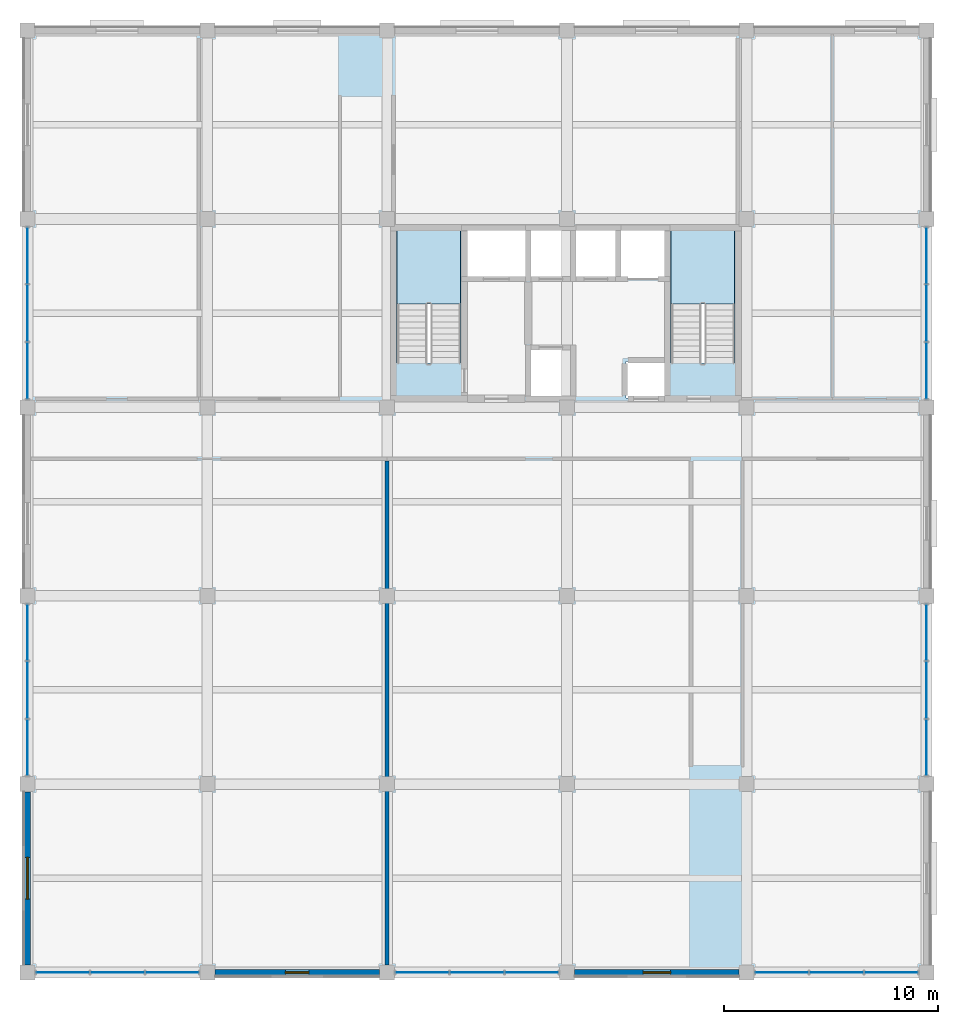
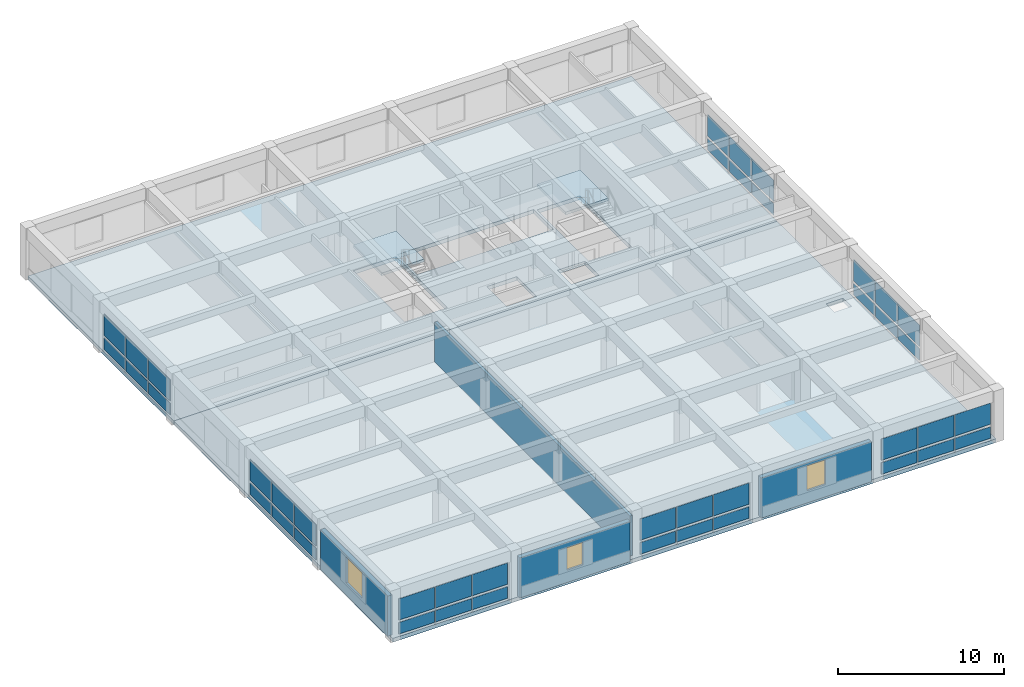
# One storey, part 7 of 12: 42 plates, 4 slabs, 4 walls, 3 windows, 3 openings, 9 elements without a shape of their own.
"""IFC4 building model written with IfcOpenShell, lengths in metres."""

from ifc_helpers import new_model, si_unit, direction, frame, frame_2d, origin, origin_2d, place, context, subcontext, project, spatial, polyline, rectangle, outline, extrude, material, layer, layer_set, type_object, element, fill, aggregate, save


model = new_model("IFC4")

# Units and contexts
model_context = context("Model", 3, precision=1e-05, world=origin(), true_north=direction((0.0, 1.0)))
body_context = subcontext(model_context, "Body", "Model", "MODEL_VIEW")
ifc_project = project(units=[si_unit("LENGTHUNIT", "METRE"), si_unit("AREAUNIT", "SQUARE_METRE"), si_unit("VOLUMEUNIT", "CUBIC_METRE"), si_unit("PLANEANGLEUNIT", "RADIAN"), si_unit("MASSUNIT", "GRAM", prefix="KILO")], contexts=[model_context])

# Site, building, storey
site_placement = place(None, origin())
site = spatial("IfcSite", under=ifc_project, at=site_placement, CompositionType="ELEMENT")
building_placement = place(site_placement, origin())
building = spatial("IfcBuilding", under=site, at=building_placement, Name="Kemercrest Conservatory and Botanical Centre", CompositionType="ELEMENT")
storey_placement = place(building_placement, frame((0.0, 0.0, 21.0)))
storey = spatial("IfcBuildingStorey", under=building, at=storey_placement, Name="L05", CompositionType="ELEMENT", Elevation=21.0)

# Curtain wall, plates
ifc_material_1 = material(Name="Thermally broken aluminium and triple low-e glazing", Category="aluminium")
curtain_wall_type_1 = type_object("IfcCurtainWallType", Name="CW-16", PredefinedType="USERDEFINED", material=ifc_material_1)
curtain_wall_1_placement = place(storey_placement, origin())
curtain_wall_1 = element("IfcCurtainWall", 1, at=curtain_wall_1_placement, inside=storey, type_object=curtain_wall_type_1, Name="Unitised curtain wall CW-16 (CW:L05:V4-075)", ObjectType="UNITISED CURTAIN WALL", PredefinedType="USERDEFINED")
ifc_material_2 = material(Name="Triple low-e argon insulated glazing unit", Category="glass")
ifc_layer_1 = layer(ifc_material_2, 0.035888671875)
ifc_layer_set_1 = layer_set([ifc_layer_1], Name="Triple low-e argon insulated glazing unit")
plate_type = type_object("IfcPlateType", Name="CW-PNL036", PredefinedType="CURTAIN_PANEL", material=ifc_layer_set_1)
plate_1_placement = place(storey_placement, frame((135.646240234375, 78.39990234375, 0.179931640625), z_axis=(0.0, 0.0, 1.0), x_axis=(1.0, 0.0, 0.0)))
plate_1 = element("IfcPlate", 2, at=plate_1_placement, type_object=plate_type, Name="CW-16 panel 1.1", PredefinedType="CURTAIN_PANEL", context=body_context, shape_type="SweptSolid", body=[
    extrude(rectangle(XDim=2.472412109375, YDim=0.035888671875, at=origin_2d()), origin(), (0.0, 0.0, 1.0), 0.85009765625),
])
plate_2_placement = place(storey_placement, frame((135.646240234375, 78.39990234375, 1.2099609375), z_axis=(0.0, 0.0, 1.0), x_axis=(1.0, 0.0, 0.0)))
plate_2 = element("IfcPlate", 3, at=plate_2_placement, type_object=plate_type, Name="CW-16 panel 1.2", PredefinedType="CURTAIN_PANEL", context=body_context, shape_type="SweptSolid", body=[
    extrude(rectangle(XDim=2.472412109375, YDim=0.035888671875, at=origin_2d()), origin(), (0.0, 0.0, 1.0), 1.56494140625),
])
plate_3_placement = place(storey_placement, frame((138.199951171875, 78.39990234375, 0.179931640625), z_axis=(0.0, 0.0, 1.0), x_axis=(1.0, 0.0, 0.0)))
plate_3 = element("IfcPlate", 4, at=plate_3_placement, type_object=plate_type, Name="CW-16 panel 2.1", PredefinedType="CURTAIN_PANEL", context=body_context, shape_type="SweptSolid", body=[
    extrude(rectangle(XDim=2.5048828125, YDim=0.035888671875, at=origin_2d()), origin(), (0.0, 0.0, 1.0), 0.85009765625),
])
plate_4_placement = place(storey_placement, frame((138.199951171875, 78.39990234375, 1.2099609375), z_axis=(0.0, 0.0, 1.0), x_axis=(1.0, 0.0, 0.0)))
plate_4 = element("IfcPlate", 5, at=plate_4_placement, type_object=plate_type, Name="CW-16 panel 2.2", PredefinedType="CURTAIN_PANEL", context=body_context, shape_type="SweptSolid", body=[
    extrude(rectangle(XDim=2.5048828125, YDim=0.035888671875, at=origin_2d()), origin(), (0.0, 0.0, 1.0), 1.56494140625),
])
plate_5_placement = place(storey_placement, frame((140.753662109375, 78.39990234375, 0.179931640625), z_axis=(0.0, 0.0, 1.0), x_axis=(1.0, 0.0, 0.0)))
plate_5 = element("IfcPlate", 6, at=plate_5_placement, type_object=plate_type, Name="CW-16 panel 3.1", PredefinedType="CURTAIN_PANEL", context=body_context, shape_type="SweptSolid", body=[
    extrude(rectangle(XDim=2.472412109375, YDim=0.035888671875, at=origin_2d()), origin(), (0.0, 0.0, 1.0), 0.85009765625),
])
plate_6_placement = place(storey_placement, frame((140.753662109375, 78.39990234375, 1.2099609375), z_axis=(0.0, 0.0, 1.0), x_axis=(1.0, 0.0, 0.0)))
plate_6 = element("IfcPlate", 7, at=plate_6_placement, type_object=plate_type, Name="CW-16 panel 3.2", PredefinedType="CURTAIN_PANEL", context=body_context, shape_type="SweptSolid", body=[
    extrude(rectangle(XDim=2.472412109375, YDim=0.035888671875, at=origin_2d()), origin(), (0.0, 0.0, 1.0), 1.56494140625),
])
aggregate(curtain_wall_1, [plate_1, plate_2, plate_3, plate_4, plate_5, plate_6])

curtain_wall_type_2 = type_object("IfcCurtainWallType", Name="CW-17", PredefinedType="USERDEFINED", material=ifc_material_1)
curtain_wall_2_placement = place(storey_placement, origin())
curtain_wall_2 = element("IfcCurtainWall", 8, at=curtain_wall_2_placement, inside=storey, type_object=curtain_wall_type_2, Name="Unitised curtain wall CW-17 (CW:L05:V4-076)", ObjectType="UNITISED CURTAIN WALL", PredefinedType="USERDEFINED")
plate_7_placement = place(storey_placement, frame((152.4462890625, 78.39990234375, 0.179931640625), z_axis=(0.0, 0.0, 1.0), x_axis=(1.0, 0.0, 0.0)))
plate_7 = element("IfcPlate", 9, at=plate_7_placement, type_object=plate_type, Name="CW-17 panel 1.1", PredefinedType="CURTAIN_PANEL", context=body_context, shape_type="SweptSolid", body=[
    extrude(rectangle(XDim=2.472412109375, YDim=0.035888671875, at=origin_2d()), origin(), (0.0, 0.0, 1.0), 0.85009765625),
])
plate_8_placement = place(storey_placement, frame((152.4462890625, 78.39990234375, 1.2099609375), z_axis=(0.0, 0.0, 1.0), x_axis=(1.0, 0.0, 0.0)))
plate_8 = element("IfcPlate", 10, at=plate_8_placement, type_object=plate_type, Name="CW-17 panel 1.2", PredefinedType="CURTAIN_PANEL", context=body_context, shape_type="SweptSolid", body=[
    extrude(rectangle(XDim=2.472412109375, YDim=0.035888671875, at=origin_2d()), origin(), (0.0, 0.0, 1.0), 1.56494140625),
])
plate_9_placement = place(storey_placement, frame((155.0, 78.39990234375, 0.179931640625), z_axis=(0.0, 0.0, 1.0), x_axis=(1.0, 0.0, 0.0)))
plate_9 = element("IfcPlate", 11, at=plate_9_placement, type_object=plate_type, Name="CW-17 panel 2.1", PredefinedType="CURTAIN_PANEL", context=body_context, shape_type="SweptSolid", body=[
    extrude(rectangle(XDim=2.5048828125, YDim=0.035888671875, at=origin_2d()), origin(), (0.0, 0.0, 1.0), 0.85009765625),
])
plate_10_placement = place(storey_placement, frame((155.0, 78.39990234375, 1.2099609375), z_axis=(0.0, 0.0, 1.0), x_axis=(1.0, 0.0, 0.0)))
plate_10 = element("IfcPlate", 12, at=plate_10_placement, type_object=plate_type, Name="CW-17 panel 2.2", PredefinedType="CURTAIN_PANEL", context=body_context, shape_type="SweptSolid", body=[
    extrude(rectangle(XDim=2.5048828125, YDim=0.035888671875, at=origin_2d()), origin(), (0.0, 0.0, 1.0), 1.56494140625),
])
plate_11_placement = place(storey_placement, frame((157.5537109375, 78.39990234375, 0.179931640625), z_axis=(0.0, 0.0, 1.0), x_axis=(1.0, 0.0, 0.0)))
plate_11 = element("IfcPlate", 13, at=plate_11_placement, type_object=plate_type, Name="CW-17 panel 3.1", PredefinedType="CURTAIN_PANEL", context=body_context, shape_type="SweptSolid", body=[
    extrude(rectangle(XDim=2.472412109375, YDim=0.035888671875, at=origin_2d()), origin(), (0.0, 0.0, 1.0), 0.85009765625),
])
plate_12_placement = place(storey_placement, frame((157.5537109375, 78.39990234375, 1.2099609375), z_axis=(0.0, 0.0, 1.0), x_axis=(1.0, 0.0, 0.0)))
plate_12 = element("IfcPlate", 14, at=plate_12_placement, type_object=plate_type, Name="CW-17 panel 3.2", PredefinedType="CURTAIN_PANEL", context=body_context, shape_type="SweptSolid", body=[
    extrude(rectangle(XDim=2.472412109375, YDim=0.035888671875, at=origin_2d()), origin(), (0.0, 0.0, 1.0), 1.56494140625),
])
aggregate(curtain_wall_2, [plate_7, plate_8, plate_9, plate_10, plate_11, plate_12])

curtain_wall_type_3 = type_object("IfcCurtainWallType", Name="CW-18", PredefinedType="USERDEFINED", material=ifc_material_1)
curtain_wall_3_placement = place(storey_placement, origin())
curtain_wall_3 = element("IfcCurtainWall", 15, at=curtain_wall_3_placement, inside=storey, type_object=curtain_wall_type_3, Name="Unitised curtain wall CW-18 (CW:L05:V4-077)", ObjectType="UNITISED CURTAIN WALL", PredefinedType="USERDEFINED")
plate_13_placement = place(storey_placement, frame((169.246337890625, 78.39990234375, 0.179931640625), z_axis=(0.0, 0.0, 1.0), x_axis=(1.0, 0.0, 0.0)))
plate_13 = element("IfcPlate", 16, at=plate_13_placement, type_object=plate_type, Name="CW-18 panel 1.1", PredefinedType="CURTAIN_PANEL", context=body_context, shape_type="SweptSolid", body=[
    extrude(rectangle(XDim=2.472412109375, YDim=0.035888671875, at=origin_2d()), origin(), (0.0, 0.0, 1.0), 0.85009765625),
])
plate_14_placement = place(storey_placement, frame((169.246337890625, 78.39990234375, 1.2099609375), z_axis=(0.0, 0.0, 1.0), x_axis=(1.0, 0.0, 0.0)))
plate_14 = element("IfcPlate", 17, at=plate_14_placement, type_object=plate_type, Name="CW-18 panel 1.2", PredefinedType="CURTAIN_PANEL", context=body_context, shape_type="SweptSolid", body=[
    extrude(rectangle(XDim=2.472412109375, YDim=0.035888671875, at=origin_2d()), origin(), (0.0, 0.0, 1.0), 1.56494140625),
])
plate_15_placement = place(storey_placement, frame((171.800048828125, 78.39990234375, 0.179931640625), z_axis=(0.0, 0.0, 1.0), x_axis=(1.0, 0.0, 0.0)))
plate_15 = element("IfcPlate", 18, at=plate_15_placement, type_object=plate_type, Name="CW-18 panel 2.1", PredefinedType="CURTAIN_PANEL", context=body_context, shape_type="SweptSolid", body=[
    extrude(rectangle(XDim=2.5048828125, YDim=0.035888671875, at=origin_2d()), origin(), (0.0, 0.0, 1.0), 0.85009765625),
])
plate_16_placement = place(storey_placement, frame((171.800048828125, 78.39990234375, 1.2099609375), z_axis=(0.0, 0.0, 1.0), x_axis=(1.0, 0.0, 0.0)))
plate_16 = element("IfcPlate", 19, at=plate_16_placement, type_object=plate_type, Name="CW-18 panel 2.2", PredefinedType="CURTAIN_PANEL", context=body_context, shape_type="SweptSolid", body=[
    extrude(rectangle(XDim=2.5048828125, YDim=0.035888671875, at=origin_2d()), origin(), (0.0, 0.0, 1.0), 1.56494140625),
])
plate_17_placement = place(storey_placement, frame((174.353759765625, 78.39990234375, 0.179931640625), z_axis=(0.0, 0.0, 1.0), x_axis=(1.0, 0.0, 0.0)))
plate_17 = element("IfcPlate", 20, at=plate_17_placement, type_object=plate_type, Name="CW-18 panel 3.1", PredefinedType="CURTAIN_PANEL", context=body_context, shape_type="SweptSolid", body=[
    extrude(rectangle(XDim=2.472412109375, YDim=0.035888671875, at=origin_2d()), origin(), (0.0, 0.0, 1.0), 0.85009765625),
])
plate_18_placement = place(storey_placement, frame((174.353759765625, 78.39990234375, 1.2099609375), z_axis=(0.0, 0.0, 1.0), x_axis=(1.0, 0.0, 0.0)))
plate_18 = element("IfcPlate", 21, at=plate_18_placement, type_object=plate_type, Name="CW-18 panel 3.2", PredefinedType="CURTAIN_PANEL", context=body_context, shape_type="SweptSolid", body=[
    extrude(rectangle(XDim=2.472412109375, YDim=0.035888671875, at=origin_2d()), origin(), (0.0, 0.0, 1.0), 1.56494140625),
])
aggregate(curtain_wall_3, [plate_13, plate_14, plate_15, plate_16, plate_17, plate_18])

curtain_wall_type_4 = type_object("IfcCurtainWallType", Name="CW-19", PredefinedType="USERDEFINED", material=ifc_material_1)
curtain_wall_4_placement = place(storey_placement, origin())
curtain_wall_4 = element("IfcCurtainWall", 22, at=curtain_wall_4_placement, inside=storey, type_object=curtain_wall_type_4, Name="Unitised curtain wall CW-19 (CW:L05:V4-078)", ObjectType="UNITISED CURTAIN WALL", PredefinedType="USERDEFINED")
plate_19_placement = place(storey_placement, frame((176.0, 88.912841796875, 0.179931640625), z_axis=(0.0, 0.0, 1.0), x_axis=(0.0, 1.0, 0.0)))
plate_19 = element("IfcPlate", 23, at=plate_19_placement, type_object=plate_type, Name="CW-19 panel 1.1", PredefinedType="CURTAIN_PANEL", context=body_context, shape_type="SweptSolid", body=[
    extrude(rectangle(XDim=2.605712890625, YDim=0.035888671875, at=origin_2d()), origin(), (0.0, 0.0, 1.0), 0.85009765625),
])
plate_20_placement = place(storey_placement, frame((176.0, 88.912841796875, 1.2099609375), z_axis=(0.0, 0.0, 1.0), x_axis=(0.0, 1.0, 0.0)))
plate_20 = element("IfcPlate", 24, at=plate_20_placement, type_object=plate_type, Name="CW-19 panel 1.2", PredefinedType="CURTAIN_PANEL", context=body_context, shape_type="SweptSolid", body=[
    extrude(rectangle(XDim=2.605712890625, YDim=0.035888671875, at=origin_2d()), origin(), (0.0, 0.0, 1.0), 1.56494140625),
])
plate_21_placement = place(storey_placement, frame((176.0, 91.60009765625, 0.179931640625), z_axis=(0.0, 0.0, 1.0), x_axis=(0.0, 1.0, 0.0)))
plate_21 = element("IfcPlate", 25, at=plate_21_placement, type_object=plate_type, Name="CW-19 panel 2.1", PredefinedType="CURTAIN_PANEL", context=body_context, shape_type="SweptSolid", body=[
    extrude(rectangle(XDim=2.638427734375, YDim=0.035888671875, at=origin_2d()), origin(), (0.0, 0.0, 1.0), 0.85009765625),
])
plate_22_placement = place(storey_placement, frame((176.0, 91.60009765625, 1.2099609375), z_axis=(0.0, 0.0, 1.0), x_axis=(0.0, 1.0, 0.0)))
plate_22 = element("IfcPlate", 26, at=plate_22_placement, type_object=plate_type, Name="CW-19 panel 2.2", PredefinedType="CURTAIN_PANEL", context=body_context, shape_type="SweptSolid", body=[
    extrude(rectangle(XDim=2.638427734375, YDim=0.035888671875, at=origin_2d()), origin(), (0.0, 0.0, 1.0), 1.56494140625),
])
plate_23_placement = place(storey_placement, frame((176.0, 94.287109375, 0.179931640625), z_axis=(0.0, 0.0, 1.0), x_axis=(0.0, 1.0, 0.0)))
plate_23 = element("IfcPlate", 27, at=plate_23_placement, type_object=plate_type, Name="CW-19 panel 3.1", PredefinedType="CURTAIN_PANEL", context=body_context, shape_type="SweptSolid", body=[
    extrude(rectangle(XDim=2.605712890625, YDim=0.035888671875, at=origin_2d()), origin(), (0.0, 0.0, 1.0), 0.85009765625),
])
plate_24_placement = place(storey_placement, frame((176.0, 94.287109375, 1.2099609375), z_axis=(0.0, 0.0, 1.0), x_axis=(0.0, 1.0, 0.0)))
plate_24 = element("IfcPlate", 28, at=plate_24_placement, type_object=plate_type, Name="CW-19 panel 3.2", PredefinedType="CURTAIN_PANEL", context=body_context, shape_type="SweptSolid", body=[
    extrude(rectangle(XDim=2.605712890625, YDim=0.035888671875, at=origin_2d()), origin(), (0.0, 0.0, 1.0), 1.56494140625),
])
aggregate(curtain_wall_4, [plate_19, plate_20, plate_21, plate_22, plate_23, plate_24])

curtain_wall_type_5 = type_object("IfcCurtainWallType", Name="CW-20", PredefinedType="USERDEFINED", material=ifc_material_1)
curtain_wall_5_placement = place(storey_placement, origin())
curtain_wall_5 = element("IfcCurtainWall", 29, at=curtain_wall_5_placement, inside=storey, type_object=curtain_wall_type_5, Name="Unitised curtain wall CW-20 (CW:L05:V4-079)", ObjectType="UNITISED CURTAIN WALL", PredefinedType="USERDEFINED")
plate_25_placement = place(storey_placement, frame((176.0, 106.512939453125, 0.179931640625), z_axis=(0.0, 0.0, 1.0), x_axis=(0.0, 1.0, 0.0)))
plate_25 = element("IfcPlate", 30, at=plate_25_placement, type_object=plate_type, Name="CW-20 panel 1.1", PredefinedType="CURTAIN_PANEL", context=body_context, shape_type="SweptSolid", body=[
    extrude(rectangle(XDim=2.605712890625, YDim=0.035888671875, at=origin_2d()), origin(), (0.0, 0.0, 1.0), 0.85009765625),
])
plate_26_placement = place(storey_placement, frame((176.0, 106.512939453125, 1.2099609375), z_axis=(0.0, 0.0, 1.0), x_axis=(0.0, 1.0, 0.0)))
plate_26 = element("IfcPlate", 31, at=plate_26_placement, type_object=plate_type, Name="CW-20 panel 1.2", PredefinedType="CURTAIN_PANEL", context=body_context, shape_type="SweptSolid", body=[
    extrude(rectangle(XDim=2.605712890625, YDim=0.035888671875, at=origin_2d()), origin(), (0.0, 0.0, 1.0), 1.56494140625),
])
plate_27_placement = place(storey_placement, frame((176.0, 109.199951171875, 0.179931640625), z_axis=(0.0, 0.0, 1.0), x_axis=(0.0, 1.0, 0.0)))
plate_27 = element("IfcPlate", 32, at=plate_27_placement, type_object=plate_type, Name="CW-20 panel 2.1", PredefinedType="CURTAIN_PANEL", context=body_context, shape_type="SweptSolid", body=[
    extrude(rectangle(XDim=2.638427734375, YDim=0.035888671875, at=origin_2d()), origin(), (0.0, 0.0, 1.0), 0.85009765625),
])
plate_28_placement = place(storey_placement, frame((176.0, 109.199951171875, 1.2099609375), z_axis=(0.0, 0.0, 1.0), x_axis=(0.0, 1.0, 0.0)))
plate_28 = element("IfcPlate", 33, at=plate_28_placement, type_object=plate_type, Name="CW-20 panel 2.2", PredefinedType="CURTAIN_PANEL", context=body_context, shape_type="SweptSolid", body=[
    extrude(rectangle(XDim=2.638427734375, YDim=0.035888671875, at=origin_2d()), origin(), (0.0, 0.0, 1.0), 1.56494140625),
])
plate_29_placement = place(storey_placement, frame((176.0, 111.886962890625, 0.179931640625), z_axis=(0.0, 0.0, 1.0), x_axis=(0.0, 1.0, 0.0)))
plate_29 = element("IfcPlate", 34, at=plate_29_placement, type_object=plate_type, Name="CW-20 panel 3.1", PredefinedType="CURTAIN_PANEL", context=body_context, shape_type="SweptSolid", body=[
    extrude(rectangle(XDim=2.605712890625, YDim=0.035888671875, at=origin_2d()), origin(), (0.0, 0.0, 1.0), 0.85009765625),
])
plate_30_placement = place(storey_placement, frame((176.0, 111.886962890625, 1.2099609375), z_axis=(0.0, 0.0, 1.0), x_axis=(0.0, 1.0, 0.0)))
plate_30 = element("IfcPlate", 35, at=plate_30_placement, type_object=plate_type, Name="CW-20 panel 3.2", PredefinedType="CURTAIN_PANEL", context=body_context, shape_type="SweptSolid", body=[
    extrude(rectangle(XDim=2.605712890625, YDim=0.035888671875, at=origin_2d()), origin(), (0.0, 0.0, 1.0), 1.56494140625),
])
aggregate(curtain_wall_5, [plate_25, plate_26, plate_27, plate_28, plate_29, plate_30])

curtain_wall_type_6 = type_object("IfcCurtainWallType", Name="CW-21", PredefinedType="USERDEFINED", material=ifc_material_1)
curtain_wall_6_placement = place(storey_placement, origin())
curtain_wall_6 = element("IfcCurtainWall", 36, at=curtain_wall_6_placement, inside=storey, type_object=curtain_wall_type_6, Name="Unitised curtain wall CW-21 (CW:L05:V4-080)", ObjectType="UNITISED CURTAIN WALL", PredefinedType="USERDEFINED")
plate_31_placement = place(storey_placement, frame((134.0, 111.886962890625, 0.179931640625), z_axis=(0.0, 0.0, 1.0), x_axis=(0.0, -1.0, 0.0)))
plate_31 = element("IfcPlate", 37, at=plate_31_placement, type_object=plate_type, Name="CW-21 panel 1.1", PredefinedType="CURTAIN_PANEL", context=body_context, shape_type="SweptSolid", body=[
    extrude(rectangle(XDim=2.605712890625, YDim=0.035888671875, at=origin_2d()), origin(), (0.0, 0.0, 1.0), 0.85009765625),
])
plate_32_placement = place(storey_placement, frame((134.0, 111.886962890625, 1.2099609375), z_axis=(0.0, 0.0, 1.0), x_axis=(0.0, -1.0, 0.0)))
plate_32 = element("IfcPlate", 38, at=plate_32_placement, type_object=plate_type, Name="CW-21 panel 1.2", PredefinedType="CURTAIN_PANEL", context=body_context, shape_type="SweptSolid", body=[
    extrude(rectangle(XDim=2.605712890625, YDim=0.035888671875, at=origin_2d()), origin(), (0.0, 0.0, 1.0), 1.56494140625),
])
plate_33_placement = place(storey_placement, frame((134.0, 109.199951171875, 0.179931640625), z_axis=(0.0, 0.0, 1.0), x_axis=(0.0, -1.0, 0.0)))
plate_33 = element("IfcPlate", 39, at=plate_33_placement, type_object=plate_type, Name="CW-21 panel 2.1", PredefinedType="CURTAIN_PANEL", context=body_context, shape_type="SweptSolid", body=[
    extrude(rectangle(XDim=2.638427734375, YDim=0.035888671875, at=origin_2d()), origin(), (0.0, 0.0, 1.0), 0.85009765625),
])
plate_34_placement = place(storey_placement, frame((134.0, 109.199951171875, 1.2099609375), z_axis=(0.0, 0.0, 1.0), x_axis=(0.0, -1.0, 0.0)))
plate_34 = element("IfcPlate", 40, at=plate_34_placement, type_object=plate_type, Name="CW-21 panel 2.2", PredefinedType="CURTAIN_PANEL", context=body_context, shape_type="SweptSolid", body=[
    extrude(rectangle(XDim=2.638427734375, YDim=0.035888671875, at=origin_2d()), origin(), (0.0, 0.0, 1.0), 1.56494140625),
])
plate_35_placement = place(storey_placement, frame((134.0, 106.512939453125, 0.179931640625), z_axis=(0.0, 0.0, 1.0), x_axis=(0.0, -1.0, 0.0)))
plate_35 = element("IfcPlate", 41, at=plate_35_placement, type_object=plate_type, Name="CW-21 panel 3.1", PredefinedType="CURTAIN_PANEL", context=body_context, shape_type="SweptSolid", body=[
    extrude(rectangle(XDim=2.605712890625, YDim=0.035888671875, at=origin_2d()), origin(), (0.0, 0.0, 1.0), 0.85009765625),
])
plate_36_placement = place(storey_placement, frame((134.0, 106.512939453125, 1.2099609375), z_axis=(0.0, 0.0, 1.0), x_axis=(0.0, -1.0, 0.0)))
plate_36 = element("IfcPlate", 42, at=plate_36_placement, type_object=plate_type, Name="CW-21 panel 3.2", PredefinedType="CURTAIN_PANEL", context=body_context, shape_type="SweptSolid", body=[
    extrude(rectangle(XDim=2.605712890625, YDim=0.035888671875, at=origin_2d()), origin(), (0.0, 0.0, 1.0), 1.56494140625),
])
aggregate(curtain_wall_6, [plate_31, plate_32, plate_33, plate_34, plate_35, plate_36])

curtain_wall_type_7 = type_object("IfcCurtainWallType", Name="CW-22", PredefinedType="USERDEFINED", material=ifc_material_1)
curtain_wall_7_placement = place(storey_placement, origin())
curtain_wall_7 = element("IfcCurtainWall", 43, at=curtain_wall_7_placement, inside=storey, type_object=curtain_wall_type_7, Name="Unitised curtain wall CW-22 (CW:L05:V4-081)", ObjectType="UNITISED CURTAIN WALL", PredefinedType="USERDEFINED")
plate_37_placement = place(storey_placement, frame((134.0, 94.287109375, 0.179931640625), z_axis=(0.0, 0.0, 1.0), x_axis=(0.0, -1.0, 0.0)))
plate_37 = element("IfcPlate", 44, at=plate_37_placement, type_object=plate_type, Name="CW-22 panel 1.1", PredefinedType="CURTAIN_PANEL", context=body_context, shape_type="SweptSolid", body=[
    extrude(rectangle(XDim=2.605712890625, YDim=0.035888671875, at=origin_2d()), origin(), (0.0, 0.0, 1.0), 0.85009765625),
])
plate_38_placement = place(storey_placement, frame((134.0, 94.287109375, 1.2099609375), z_axis=(0.0, 0.0, 1.0), x_axis=(0.0, -1.0, 0.0)))
plate_38 = element("IfcPlate", 45, at=plate_38_placement, type_object=plate_type, Name="CW-22 panel 1.2", PredefinedType="CURTAIN_PANEL", context=body_context, shape_type="SweptSolid", body=[
    extrude(rectangle(XDim=2.605712890625, YDim=0.035888671875, at=origin_2d()), origin(), (0.0, 0.0, 1.0), 1.56494140625),
])
plate_39_placement = place(storey_placement, frame((134.0, 91.60009765625, 0.179931640625), z_axis=(0.0, 0.0, 1.0), x_axis=(0.0, -1.0, 0.0)))
plate_39 = element("IfcPlate", 46, at=plate_39_placement, type_object=plate_type, Name="CW-22 panel 2.1", PredefinedType="CURTAIN_PANEL", context=body_context, shape_type="SweptSolid", body=[
    extrude(rectangle(XDim=2.638427734375, YDim=0.035888671875, at=origin_2d()), origin(), (0.0, 0.0, 1.0), 0.85009765625),
])
plate_40_placement = place(storey_placement, frame((134.0, 91.60009765625, 1.2099609375), z_axis=(0.0, 0.0, 1.0), x_axis=(0.0, -1.0, 0.0)))
plate_40 = element("IfcPlate", 47, at=plate_40_placement, type_object=plate_type, Name="CW-22 panel 2.2", PredefinedType="CURTAIN_PANEL", context=body_context, shape_type="SweptSolid", body=[
    extrude(rectangle(XDim=2.638427734375, YDim=0.035888671875, at=origin_2d()), origin(), (0.0, 0.0, 1.0), 1.56494140625),
])
plate_41_placement = place(storey_placement, frame((134.0, 88.912841796875, 0.179931640625), z_axis=(0.0, 0.0, 1.0), x_axis=(0.0, -1.0, 0.0)))
plate_41 = element("IfcPlate", 48, at=plate_41_placement, type_object=plate_type, Name="CW-22 panel 3.1", PredefinedType="CURTAIN_PANEL", context=body_context, shape_type="SweptSolid", body=[
    extrude(rectangle(XDim=2.605712890625, YDim=0.035888671875, at=origin_2d()), origin(), (0.0, 0.0, 1.0), 0.85009765625),
])
plate_42_placement = place(storey_placement, frame((134.0, 88.912841796875, 1.2099609375), z_axis=(0.0, 0.0, 1.0), x_axis=(0.0, -1.0, 0.0)))
plate_42 = element("IfcPlate", 49, at=plate_42_placement, type_object=plate_type, Name="CW-22 panel 3.2", PredefinedType="CURTAIN_PANEL", context=body_context, shape_type="SweptSolid", body=[
    extrude(rectangle(XDim=2.605712890625, YDim=0.035888671875, at=origin_2d()), origin(), (0.0, 0.0, 1.0), 1.56494140625),
])
aggregate(curtain_wall_7, [plate_37, plate_38, plate_39, plate_40, plate_41, plate_42])

# Slabs
ifc_material_3 = material(Name="Concrete C40/50", Category="concrete")
ifc_layer_2 = layer(ifc_material_3, 0.280029296875)
ifc_layer_set_2 = layer_set([ifc_layer_2], Name="Concrete C40/50")
slab_type_1 = type_object("IfcSlabType", Name="SL-FL280", PredefinedType="FLOOR", material=ifc_layer_set_2)
slab_1_placement = place(storey_placement, frame((0.0, 0.0, -0.280029296875)))
element("IfcSlab", 50, at=slab_1_placement, inside=storey, type_object=slab_type_1, Name="V4 Tower L05 North Core and Studio Slab", PredefinedType="FLOOR", context=body_context, shape_type="SweptSolid", body=[
    extrude(outline(polyline([(134.0, 122.39990234375), (134.0, 104.800048828125), (176.0, 104.800048828125), (176.0, 122.39990234375), (134.0, 122.39990234375)]), holes=[polyline([(164.06005859375, 106.864990234375), (164.06005859375, 113.06005859375), (167.0400390625, 113.06005859375), (167.0400390625, 106.864990234375), (164.06005859375, 106.864990234375)]), polyline([(154.39990234375, 110.800048828125), (154.39990234375, 113.199951171875), (163.89990234375, 113.199951171875), (163.89990234375, 110.800048828125), (154.39990234375, 110.800048828125)]), polyline([(161.949951171875, 105.25), (161.949951171875, 106.949951171875), (163.85009765625, 106.949951171875), (163.85009765625, 105.25), (161.949951171875, 105.25)]), polyline([(157.39990234375, 105.199951171875), (157.39990234375, 107.60009765625), (159.5, 107.60009765625), (159.5, 105.199951171875), (157.39990234375, 105.199951171875)]), polyline([(154.239990234375, 106.864990234375), (151.260009765625, 106.864990234375), (151.260009765625, 113.06005859375), (154.239990234375, 113.06005859375), (154.239990234375, 106.864990234375)])]), origin(), (0.0, 0.0, 1.0), 0.280029296875),
])
slab_2_placement = place(storey_placement, frame((0.0, 0.0, -0.280029296875)))
element("IfcSlab", 51, at=slab_2_placement, inside=storey, type_object=slab_type_1, Name="V4 Tower L05 South Laboratory Slab", PredefinedType="FLOOR", context=body_context, shape_type="SweptSolid", body=[
    extrude(outline(polyline([(134.0, 104.800048828125), (134.0, 78.39990234375), (176.0, 78.39990234375), (176.0, 104.800048828125), (134.0, 104.800048828125)]), holes=[polyline([(175.39990234375, 94.800048828125), (174.199951171875, 94.800048828125), (174.199951171875, 95.800048828125), (175.39990234375, 95.800048828125), (175.39990234375, 94.800048828125)])]), origin(), (0.0, 0.0, 1.0), 0.280029296875),
])

# Stair, slab
stair_type = type_object("IfcStairType", Name="ST-142-38", PredefinedType="HALF_TURN_STAIR", material=ifc_material_3)
stair_1_placement = place(storey_placement, origin())
stair_1 = element("IfcStair", 52, at=stair_1_placement, inside=storey, type_object=stair_type, Name="L05 Exit stair ST-V4A", PredefinedType="HALF_TURN_STAIR")
ifc_layer_3 = layer(ifc_material_3, 0.199951171875)
ifc_layer_set_3 = layer_set([ifc_layer_3], Name="Concrete C40/50")
slab_type_2 = type_object("IfcSlabType", Name="SL-LND200", PredefinedType="LANDING", material=ifc_layer_set_3)
slab_3_placement = place(storey_placement, frame((0.0, 0.0, 1.699951171875)))
slab_3 = element("IfcSlab", 53, at=slab_3_placement, type_object=slab_type_2, Name="ST-V4A landing 1", PredefinedType="LANDING", context=body_context, shape_type="SweptSolid", body=[
    extrude(outline(polyline([(154.239990234375, 109.639892578125), (154.239990234375, 113.06005859375), (151.260009765625, 113.06005859375), (151.260009765625, 109.639892578125), (154.239990234375, 109.639892578125)])), origin(), (0.0, 0.0, 1.0), 0.199951171875),
])
aggregate(stair_1, [slab_3])

stair_2_placement = place(storey_placement, origin())
stair_2 = element("IfcStair", 54, at=stair_2_placement, inside=storey, type_object=stair_type, Name="L05 Exit stair ST-V4B", PredefinedType="HALF_TURN_STAIR")
slab_4_placement = place(storey_placement, frame((0.0, 0.0, 1.699951171875)))
slab_4 = element("IfcSlab", 55, at=slab_4_placement, type_object=slab_type_2, Name="ST-V4B landing 1", PredefinedType="LANDING", context=body_context, shape_type="SweptSolid", body=[
    extrude(outline(polyline([(167.0400390625, 109.639892578125), (167.0400390625, 113.06005859375), (164.06005859375, 113.06005859375), (164.06005859375, 109.639892578125), (167.0400390625, 109.639892578125)])), origin(), (0.0, 0.0, 1.0), 0.199951171875),
])
aggregate(stair_2, [slab_4])

# Wall, opening, window
ifc_material_4 = material(Name="Precast concrete C40/50", Category="concrete")
ifc_layer_4 = layer(ifc_material_4, 0.300048828125)
ifc_layer_set_4 = layer_set([ifc_layer_4], Name="Precast concrete C40/50")
wall_type_1 = type_object("IfcWallType", Name="W-EXT300", PredefinedType="SOLIDWALL", material=ifc_layer_set_4)
wall_1_placement = place(storey_placement, frame((142.760009765625, 78.39990234375, 0.0), z_axis=(0.0, 0.0, 1.0), x_axis=(1.0, 0.0, 0.0)))
wall_1 = element("IfcWall", 56, at=wall_1_placement, inside=storey, type_object=wall_type_1, Name="Exterior almasik wall W-EXT300 (WAL:L05:EXT-237)", PredefinedType="SOLIDWALL", context=body_context, shape_type="SweptSolid", body=[
    extrude(rectangle(XDim=7.679931640625, YDim=0.300048828125, at=frame_2d((3.83984375, 0.0))), origin(), (0.0, 0.0, 1.0), 2.949951171875),
])
opening_1_placement = place(wall_1_placement, frame((3.2900390625, 0.0, 0.89990234375)))
opening_1 = element("IfcOpeningElement", 57, at=opening_1_placement, cuts=wall_1, Name="Opening WT-22", PredefinedType="OPENING", context=body_context, shape_type="SweptSolid", body=[
    extrude(rectangle(XDim=1.10009765625, YDim=1.64990234375, at=frame_2d((0.550048828125, 0.824951171875))), frame((0.0, 0.16015625, 0.0), z_axis=(0.0, -1.0, 0.0), x_axis=(1.0, 0.0, 0.0)), (0.0, 0.0, 1.0), 0.320068359375),
])
ifc_material_5 = material(Name="Thermally broken bronze-anodized aluminium and triple glazing", Category="aluminium")
window_type_1 = type_object("IfcWindowType", Name="WT-22", PartitioningType="SINGLE_PANEL", PredefinedType="WINDOW", material=ifc_material_5)
window_1_placement = place(opening_1_placement, origin())
window_1 = element("IfcWindow", 58, at=window_1_placement, inside=storey, type_object=window_type_1, Name="Exterior window WT-22 (WIN:L05:EXT-237)", OverallHeight=1.64990234375, OverallWidth=1.10009765625, PartitioningType="SINGLE_PANEL", PredefinedType="WINDOW", context=body_context, shape_type="SweptSolid", body=[
    extrude(rectangle(XDim=1.10009765625, YDim=1.64990234375, at=frame_2d((0.550048828125, 0.824951171875))), frame((0.0, 0.030029296875, 0.0), z_axis=(0.0, -1.0, 0.0), x_axis=(1.0, 0.0, 0.0)), (0.0, 0.0, 1.0), 0.06005859375),
])
fill(opening_1, window_1)

wall_2_placement = place(storey_placement, frame((159.56005859375, 78.39990234375, 0.0), z_axis=(0.0, 0.0, 1.0), x_axis=(1.0, 0.0, 0.0)))
wall_2 = element("IfcWall", 59, at=wall_2_placement, inside=storey, type_object=wall_type_1, Name="Exterior almasik wall W-EXT300 (WAL:L05:EXT-238)", PredefinedType="SOLIDWALL", context=body_context, shape_type="SweptSolid", body=[
    extrude(rectangle(XDim=7.679931640625, YDim=0.300048828125, at=frame_2d((3.83984375, 0.0))), origin(), (0.0, 0.0, 1.0), 2.949951171875),
])
opening_2_placement = place(wall_2_placement, frame((3.199951171875, 0.0, 0.89990234375)))
opening_2 = element("IfcOpeningElement", 60, at=opening_2_placement, cuts=wall_2, Name="Opening WT-29", PredefinedType="OPENING", context=body_context, shape_type="SweptSolid", body=[
    extrude(rectangle(XDim=1.280029296875, YDim=1.820068359375, at=frame_2d((0.64013671875, 0.91015625))), frame((0.0, 0.16015625, 0.0), z_axis=(0.0, -1.0, 0.0), x_axis=(1.0, 0.0, 0.0)), (0.0, 0.0, 1.0), 0.320068359375),
])
window_type_2 = type_object("IfcWindowType", Name="WT-29", PartitioningType="SINGLE_PANEL", PredefinedType="WINDOW", material=ifc_material_5)
window_2_placement = place(opening_2_placement, origin())
window_2 = element("IfcWindow", 61, at=window_2_placement, inside=storey, type_object=window_type_2, Name="Exterior window WT-29 (WIN:L05:EXT-238)", OverallHeight=1.820068359375, OverallWidth=1.280029296875, PartitioningType="SINGLE_PANEL", PredefinedType="WINDOW", context=body_context, shape_type="SweptSolid", body=[
    extrude(rectangle(XDim=1.280029296875, YDim=1.820068359375, at=frame_2d((0.64013671875, 0.91015625))), frame((0.0, 0.030029296875, 0.0), z_axis=(0.0, -1.0, 0.0), x_axis=(1.0, 0.0, 0.0)), (0.0, 0.0, 1.0), 0.06005859375),
])
fill(opening_2, window_2)

wall_3_placement = place(storey_placement, frame((134.0, 86.840087890625, 0.0), z_axis=(0.0, 0.0, 1.0), x_axis=(0.0, -1.0, 0.0)))
wall_3 = element("IfcWall", 62, at=wall_3_placement, inside=storey, type_object=wall_type_1, Name="Exterior almasik wall W-EXT300 (WAL:L05:EXT-249)", PredefinedType="SOLIDWALL", context=body_context, shape_type="SweptSolid", body=[
    extrude(rectangle(XDim=8.080078125, YDim=0.300048828125, at=frame_2d((4.0400390625, 0.0))), origin(), (0.0, 0.0, 1.0), 2.949951171875),
])
opening_3_placement = place(wall_3_placement, frame((3.06494140625, 0.0, 0.89990234375)))
opening_3 = element("IfcOpeningElement", 63, at=opening_3_placement, cuts=wall_3, Name="Opening WT-06", PredefinedType="OPENING", context=body_context, shape_type="SweptSolid", body=[
    extrude(rectangle(XDim=1.949951171875, YDim=1.89990234375, at=frame_2d((0.97509765625, 0.949951171875))), frame((0.0, 0.16015625, 0.0), z_axis=(0.0, -1.0, 0.0), x_axis=(1.0, 0.0, 0.0)), (0.0, 0.0, 1.0), 0.320068359375),
])
window_type_3 = type_object("IfcWindowType", Name="WT-06", PartitioningType="SINGLE_PANEL", PredefinedType="WINDOW", material=ifc_material_5)
window_3_placement = place(opening_3_placement, origin())
window_3 = element("IfcWindow", 64, at=window_3_placement, inside=storey, type_object=window_type_3, Name="Exterior window WT-06 (WIN:L05:EXT-249)", OverallHeight=1.89990234375, OverallWidth=1.949951171875, PartitioningType="SINGLE_PANEL", PredefinedType="WINDOW", context=body_context, shape_type="SweptSolid", body=[
    extrude(rectangle(XDim=1.949951171875, YDim=1.89990234375, at=frame_2d((0.97509765625, 0.949951171875))), frame((0.0, 0.030029296875, 0.0), z_axis=(0.0, -1.0, 0.0), x_axis=(1.0, 0.0, 0.0)), (0.0, 0.0, 1.0), 0.06005859375),
])
fill(opening_3, window_3)

# Wall
ifc_material_6 = material(Name="Acoustic steel-stud gypsum board assembly", Category="steel")
ifc_layer_5 = layer(ifc_material_6, 0.179931640625)
ifc_layer_set_5 = layer_set([ifc_layer_5], Name="Acoustic steel-stud gypsum board assembly")
wall_type_2 = type_object("IfcWallType", Name="W-PART180", PredefinedType="PARTITIONING", material=ifc_layer_set_5)
wall_4_placement = place(storey_placement, frame((150.800048828125, 78.75, 0.0), z_axis=(0.0, 0.0, 1.0), x_axis=(0.0, 1.0, 0.0)))
element("IfcWall", 65, at=wall_4_placement, inside=storey, type_object=wall_type_2, Name="Interior partition W-PART180 #186", PredefinedType="PARTITIONING", context=body_context, shape_type="SweptSolid", body=[
    extrude(rectangle(XDim=23.554931640625, YDim=0.179931640625, at=frame_2d((11.77734375, 0.0))), origin(), (0.0, 0.0, 1.0), 2.945068359375),
])

save(model, "model.ifc")
